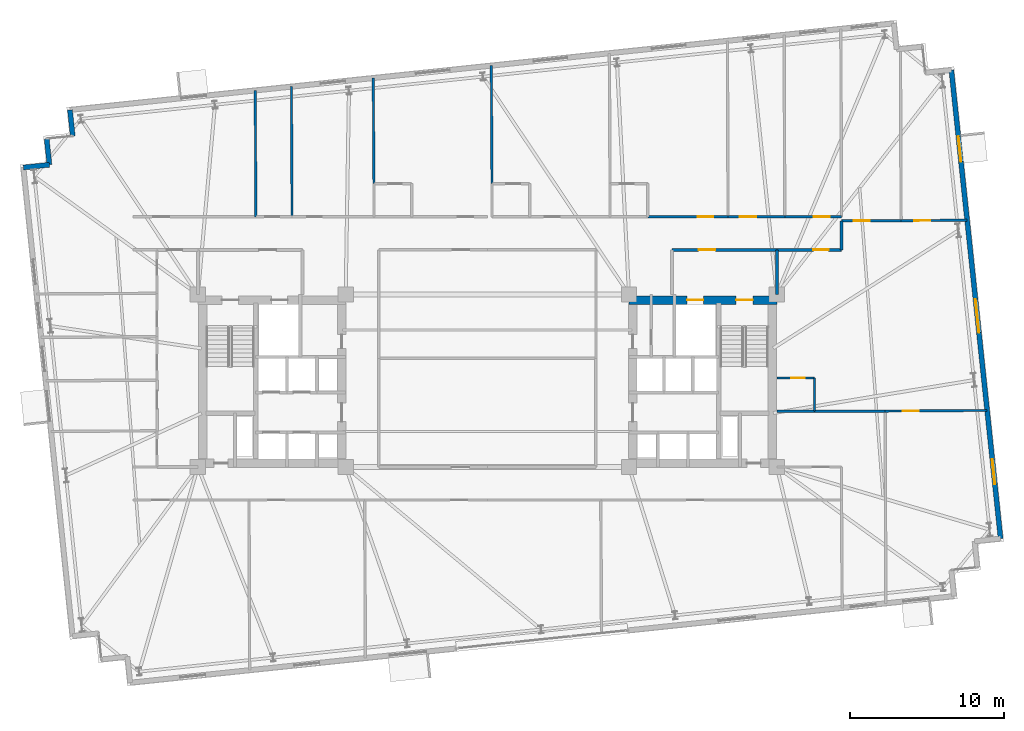
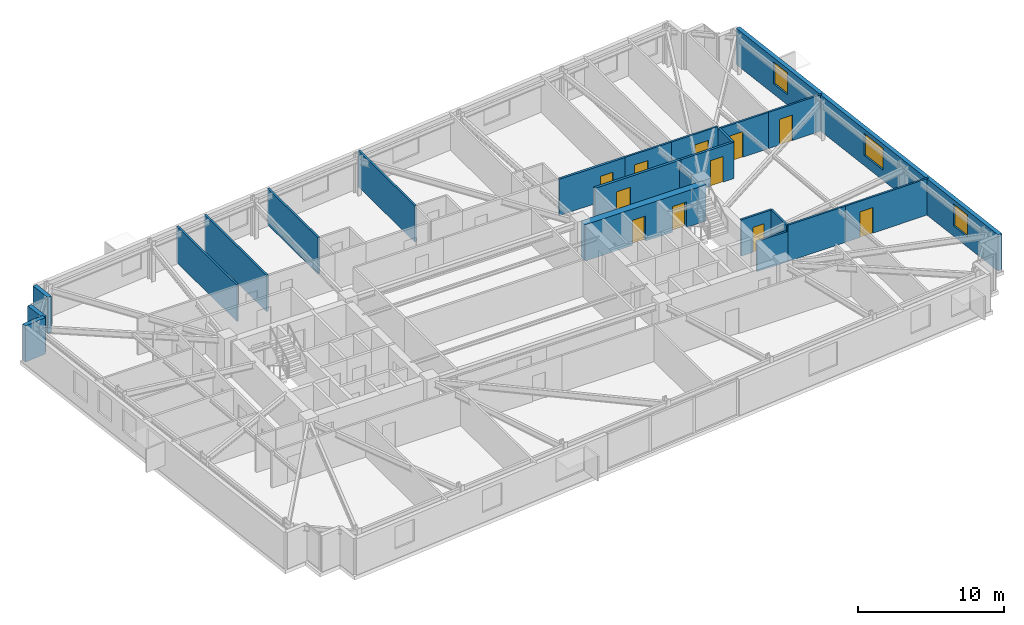
# One storey, part 19 of 22: 23 walls, 11 doors, 3 windows, 14 openings.
"""IFC4 building model written with IfcOpenShell, lengths in metres."""

from ifc_helpers import new_model, si_unit, direction, frame, frame_2d, origin, place, context, subcontext, project, spatial, rectangle, extrude, material, layer, layer_set, type_object, element, fill, save


model = new_model("IFC4")

# Units and contexts
model_context = context("Model", 3, precision=1e-05, world=origin(), true_north=direction((0.0, 1.0)))
body_context = subcontext(model_context, "Body", "Model", "MODEL_VIEW")
ifc_project = project(units=[si_unit("LENGTHUNIT", "METRE"), si_unit("AREAUNIT", "SQUARE_METRE"), si_unit("VOLUMEUNIT", "CUBIC_METRE"), si_unit("PLANEANGLEUNIT", "RADIAN"), si_unit("MASSUNIT", "GRAM", prefix="KILO")], contexts=[model_context])

# Site, building, storey
site_placement = place(None, origin())
site = spatial("IfcSite", under=ifc_project, at=site_placement, CompositionType="ELEMENT")
building_placement = place(site_placement, origin())
building = spatial("IfcBuilding", under=site, at=building_placement, Name="Qobustan Lattice House", CompositionType="ELEMENT")
storey_placement = place(building_placement, frame((0.0, 0.0, 99.10009765625)))
storey = spatial("IfcBuildingStorey", under=building, at=storey_placement, Name="L27", CompositionType="ELEMENT", Elevation=99.10009765625)

# Wall, openings, doors
ifc_material_1 = material(Name="Concrete C60/75", Category="concrete")
ifc_layer_1 = layer(ifc_material_1, 0.56005859375)
ifc_layer_set_1 = layer_set([ifc_layer_1], Name="Concrete C60/75")
wall_type_1 = type_object("IfcWallType", Name="WAL-CORE-600", PredefinedType="SHEAR", material=ifc_layer_set_1)
wall_1_placement = place(storey_placement, frame((9.199951171875, 5.239990234375, 0.0), z_axis=(0.0, 0.0, 1.0), x_axis=(1.0, 0.0, 0.0)))
wall_1 = element("IfcWall", 1, at=wall_1_placement, inside=storey, type_object=wall_type_1, Name="L27 split-core shear wall CE-N", PredefinedType="SHEAR", context=body_context, shape_type="SweptSolid", body=[
    extrude(rectangle(XDim=9.60009765625, YDim=0.56005859375, at=frame_2d((4.800048828125, 0.0))), origin(), (0.0, 0.0, 1.0), 3.044921875),
])
opening_1_placement = place(wall_1_placement, frame((6.949951171875, 0.0, 0.0)))
opening_1 = element("IfcOpeningElement", 2, at=opening_1_placement, cuts=wall_1, Name="Opening SD-01", PredefinedType="OPENING", context=body_context, shape_type="SweptSolid", body=[
    extrude(rectangle(XDim=1.10009765625, YDim=2.14990234375, at=frame_2d((0.550048828125, 1.074951171875))), frame((0.0, 0.2900390625, 0.0), z_axis=(0.0, -1.0, 0.0), x_axis=(1.0, 0.0, 0.0)), (0.0, 0.0, 1.0), 0.580078125),
])
opening_2_placement = place(wall_1_placement, frame((3.77490234375, 0.0, 0.0)))
opening_2 = element("IfcOpeningElement", 3, at=opening_2_placement, cuts=wall_1, Name="Opening LD-01", PredefinedType="OPENING", context=body_context, shape_type="SweptSolid", body=[
    extrude(rectangle(XDim=1.050048828125, YDim=2.10009765625, at=frame_2d((0.52490234375, 1.050048828125))), frame((0.0, 0.2900390625, 0.0), z_axis=(0.0, -1.0, 0.0), x_axis=(1.0, 0.0, 0.0)), (0.0, 0.0, 1.0), 0.580078125),
])
ifc_material_2 = material(Name="Persian walnut timber and steel frame door", Category="steel")
door_type_1 = type_object("IfcDoorType", Name="DOR-LIFT-LD-1050x2100", OperationType="NOTDEFINED", PredefinedType="DOOR", material=ifc_material_2)
door_1_placement = place(opening_2_placement, origin())
door_1 = element("IfcDoor", 4, at=door_1_placement, inside=storey, type_object=door_type_1, Name="L27 firefighting lift FF-E landing door", OperationType="DOUBLE_DOOR_SLIDING", OverallHeight=2.10009765625, OverallWidth=1.050048828125, PredefinedType="DOOR", context=body_context, shape_type="SweptSolid", body=[
    extrude(rectangle(XDim=1.050048828125, YDim=2.10009765625, at=frame_2d((0.52490234375, 1.050048828125))), frame((0.0, 0.02490234375, 0.0), z_axis=(0.0, -1.0, 0.0), x_axis=(1.0, 0.0, 0.0)), (0.0, 0.0, 1.0), 0.050048828125),
])
fill(opening_2, door_1)
ifc_material_3 = material(Name="Persian walnut timber and steel frame door", Category="steel")
door_type_2 = type_object("IfcDoorType", Name="DOR-STAIR-FD-1100x2150", OperationType="NOTDEFINED", PredefinedType="DOOR", material=ifc_material_3)
door_2_placement = place(opening_1_placement, origin())
door_2 = element("IfcDoor", 5, at=door_2_placement, inside=storey, type_object=door_type_2, Name="L27 exit stair ST-E1 fire door", OperationType="SINGLE_SWING_RIGHT", OverallHeight=2.14990234375, OverallWidth=1.10009765625, PredefinedType="DOOR", context=body_context, shape_type="SweptSolid", body=[
    extrude(rectangle(XDim=1.10009765625, YDim=2.14990234375, at=frame_2d((0.550048828125, 1.074951171875))), frame((0.0, 0.02490234375, 0.0), z_axis=(0.0, -1.0, 0.0), x_axis=(1.0, 0.0, 0.0)), (0.0, 0.0, 1.0), 0.050048828125),
])
fill(opening_1, door_2)

# Walls
ifc_material_4 = material(Name="Precast concrete C40/50", Category="concrete")
ifc_layer_2 = layer(ifc_material_4, 0.320068359375)
ifc_layer_set_2 = layer_set([ifc_layer_2], Name="Precast concrete C40/50")
wall_type_2 = type_object("IfcWallType", Name="WAL-EXT-STONE-320", PredefinedType="SOLIDWALL", material=ifc_layer_set_2)
for number, where, z_axis, x_axis, name in (
    (6, (-30.13330078125, 13.84912109375, 0.0), (0.0, 0.0, 1.0), (0.994534530939, 0.104408173862, 0.0), "L27 exterior limestone-clad wall 6"),
    (7, (-28.442626953125, 14.026611328125, 0.0), (0.0, 0.0, 1.0), (-0.104550220202, 0.994519608382, 0.0), "L27 exterior limestone-clad wall 7"),
    (8, (-26.9296875, 15.89501953125, 0.0), (0.0, 0.0, 1.0), (-0.104550220202, 0.994519608382, 0.0), "L27 exterior limestone-clad wall 9"),
):
    element("IfcWall", number, at=place(storey_placement, frame(where, z_axis=z_axis, x_axis=x_axis)), inside=storey, type_object=wall_type_2, Name=name, PredefinedType="SOLIDWALL", context=body_context, shape_type="SweptSolid", body=[
        extrude(rectangle(XDim=1.699951171875, YDim=0.320068359375, at=frame_2d((0.85009765625, 0.0))), origin(), (0.0, 0.0, 1.0), 3.044921875),
    ])

# Wall, openings, windows
wall_2_placement = place(storey_placement, frame((30.134765625, 20.183349609375, 0.0), z_axis=(0.0, 0.0, 1.0), x_axis=(0.104525716865, -0.994522184023, 0.0)))
wall_2 = element("IfcWall", 9, at=wall_2_placement, inside=storey, type_object=wall_type_2, Name="L27 exterior limestone-clad wall 15", PredefinedType="SOLIDWALL", context=body_context, shape_type="SweptSolid", body=[
    extrude(rectangle(XDim=30.60009765625, YDim=0.320068359375, at=frame_2d((15.300048828125, 0.0))), origin(), (0.0, 0.0, 1.0), 3.044921875),
])
opening_3_placement = place(wall_2_placement, frame((4.341796875, 0.0, 0.85009765625)))
opening_3 = element("IfcOpeningElement", 10, at=opening_3_placement, cuts=wall_2, Name="Opening WN-09", PredefinedType="OPENING", context=body_context, shape_type="SweptSolid", body=[
    extrude(rectangle(XDim=1.64990234375, YDim=1.85009765625, at=frame_2d((0.824951171875, 0.925048828125))), frame((0.0, 0.169921875, 0.0), z_axis=(0.0, -1.0, 0.0), x_axis=(1.0, 0.0, 0.0)), (0.0, 0.0, 1.0), 0.340087890625),
])
opening_4_placement = place(wall_2_placement, frame((14.9609375, 0.0, 0.85009765625)))
opening_4 = element("IfcOpeningElement", 11, at=opening_4_placement, cuts=wall_2, Name="Opening WN-03", PredefinedType="OPENING", context=body_context, shape_type="SweptSolid", body=[
    extrude(rectangle(XDim=2.199951171875, YDim=1.85009765625, at=frame_2d((1.10009765625, 0.925048828125))), frame((0.0, 0.169921875, 0.0), z_axis=(0.0, -1.0, 0.0), x_axis=(1.0, 0.0, 0.0)), (0.0, 0.0, 1.0), 0.340087890625),
])
opening_5_placement = place(wall_2_placement, frame((25.4091796875, 0.0, 0.85009765625)))
opening_5 = element("IfcOpeningElement", 12, at=opening_5_placement, cuts=wall_2, Name="Opening WN-09", PredefinedType="OPENING", context=body_context, shape_type="SweptSolid", body=[
    extrude(rectangle(XDim=1.64990234375, YDim=1.85009765625, at=frame_2d((0.824951171875, 0.925048828125))), frame((0.0, 0.169921875, 0.0), z_axis=(0.0, -1.0, 0.0), x_axis=(1.0, 0.0, 0.0)), (0.0, 0.0, 1.0), 0.340087890625),
])
ifc_material_5 = material(Name="Double-glazed low-E aluminium window", Category="aluminium")
window_type_1 = type_object("IfcWindowType", Name="WIN-STU-1650x1850", PartitioningType="SINGLE_PANEL", PredefinedType="WINDOW", material=ifc_material_5)
window_1_placement = place(opening_3_placement, origin())
window_1 = element("IfcWindow", 13, at=window_1_placement, inside=storey, type_object=window_type_1, Name="L27 Focus study room E3B window", OverallHeight=1.85009765625, OverallWidth=1.64990234375, PartitioningType="SINGLE_PANEL", PredefinedType="WINDOW", context=body_context, shape_type="SweptSolid", body=[
    extrude(rectangle(XDim=1.64990234375, YDim=1.85009765625, at=frame_2d((0.824951171875, 0.925048828125))), frame((0.0, 0.030029296875, 0.0), z_axis=(0.0, -1.0, 0.0), x_axis=(1.0, 0.0, 0.0)), (0.0, 0.0, 1.0), 0.06005859375),
])
fill(opening_3, window_1)
window_2_placement = place(opening_5_placement, origin())
window_2 = element("IfcWindow", 14, at=window_2_placement, inside=storey, type_object=window_type_1, Name="L27 Focus study room E1B window", OverallHeight=1.85009765625, OverallWidth=1.64990234375, PartitioningType="SINGLE_PANEL", PredefinedType="WINDOW", context=body_context, shape_type="SweptSolid", body=[
    extrude(rectangle(XDim=1.64990234375, YDim=1.85009765625, at=frame_2d((0.824951171875, 0.925048828125))), frame((0.0, 0.030029296875, 0.0), z_axis=(0.0, -1.0, 0.0), x_axis=(1.0, 0.0, 0.0)), (0.0, 0.0, 1.0), 0.06005859375),
])
fill(opening_5, window_2)
ifc_material_6 = material(Name="Double-glazed low-E aluminium window", Category="aluminium")
window_type_2 = type_object("IfcWindowType", Name="WIN-WIDE-2200x1850", PartitioningType="SINGLE_PANEL", PredefinedType="WINDOW", material=ifc_material_6)
window_3_placement = place(opening_4_placement, origin())
window_3 = element("IfcWindow", 15, at=window_3_placement, inside=storey, type_object=window_type_2, Name="L27 Kitchenette and studio apartment L27-E2 window", OverallHeight=1.85009765625, OverallWidth=2.199951171875, PartitioningType="SINGLE_PANEL", PredefinedType="WINDOW", context=body_context, shape_type="SweptSolid", body=[
    extrude(rectangle(XDim=2.199951171875, YDim=1.85009765625, at=frame_2d((1.10009765625, 0.925048828125))), frame((0.0, 0.030029296875, 0.0), z_axis=(0.0, -1.0, 0.0), x_axis=(1.0, 0.0, 0.0)), (0.0, 0.0, 1.0), 0.06005859375),
])
fill(opening_4, window_3)

# Wall, opening, door
ifc_material_7 = material(Name="Gypsum fireboard acoustic partition", Category="gypsum")
ifc_layer_3 = layer(ifc_material_7, 0.179931640625)
ifc_layer_set_3 = layer_set([ifc_layer_3], Name="Gypsum fireboard acoustic partition")
wall_type_3 = type_object("IfcWallType", Name="WAL-FIRE-180", PredefinedType="PARTITIONING", material=ifc_layer_set_3)
wall_3_placement = place(storey_placement, frame((23.0, 8.5, 0.0), z_axis=(0.0, 0.0, 1.0), x_axis=(-1.0, 0.0, 0.0)))
wall_3 = element("IfcWall", 16, at=wall_3_placement, inside=storey, type_object=wall_type_3, Name="L27 interior partition 44", PredefinedType="PARTITIONING", context=body_context, shape_type="SweptSolid", body=[
    extrude(rectangle(XDim=4.199951171875, YDim=0.179931640625, at=frame_2d((2.10009765625, 0.0))), origin(), (0.0, 0.0, 1.0), 3.044921875),
])
opening_6_placement = place(wall_3_placement, frame((0.8349609375, 0.0, 0.0)))
opening_6 = element("IfcOpeningElement", 17, at=opening_6_placement, cuts=wall_3, Name="Opening FD-02", PredefinedType="OPENING", context=body_context, shape_type="SweptSolid", body=[
    extrude(rectangle(XDim=1.0, YDim=2.14990234375, at=frame_2d((0.5, 1.074951171875))), frame((0.0, 0.099853515625, 0.0), z_axis=(0.0, -1.0, 0.0), x_axis=(1.0, 0.0, 0.0)), (0.0, 0.0, 1.0), 0.199951171875),
])
ifc_material_8 = material(Name="Persian walnut timber and steel frame door", Category="steel")
door_type_3 = type_object("IfcDoorType", Name="DOR-UNIT-FD-1000x2150", OperationType="NOTDEFINED", PredefinedType="DOOR", material=ifc_material_8)
door_3_placement = place(opening_6_placement, origin())
door_3 = element("IfcDoor", 18, at=door_3_placement, inside=storey, type_object=door_type_3, Name="L27 North-east floor corridor to Kitchenette and studio apartment L27-E2 door", OperationType="SINGLE_SWING_RIGHT", OverallHeight=2.14990234375, OverallWidth=1.0, PredefinedType="DOOR", context=body_context, shape_type="SweptSolid", body=[
    extrude(rectangle(XDim=1.0, YDim=2.14990234375, at=frame_2d((0.5, 1.074951171875))), frame((0.0, 0.02490234375, 0.0), z_axis=(0.0, -1.0, 0.0), x_axis=(1.0, 0.0, 0.0)), (0.0, 0.0, 1.0), 0.050048828125),
])
fill(opening_6, door_3)

# Wall
wall_4_placement = place(storey_placement, frame((23.0, 10.387939453125, 0.0), z_axis=(0.0, 0.0, 1.0), x_axis=(0.0, -1.0, 0.0)))
element("IfcWall", 19, at=wall_4_placement, inside=storey, type_object=wall_type_3, Name="L27 interior partition 45", PredefinedType="PARTITIONING", context=body_context, shape_type="SweptSolid", body=[
    extrude(rectangle(XDim=1.887939453125, YDim=0.179931640625, at=frame_2d((0.94384765625, 0.0))), origin(), (0.0, 0.0, 1.0), 3.044921875),
])

# Wall, opening, door
wall_5_placement = place(storey_placement, frame((10.4169921875, 10.64990234375, 0.0), z_axis=(0.0, 0.0, 1.0), x_axis=(1.0, 0.0, 0.0)))
wall_5 = element("IfcWall", 20, at=wall_5_placement, inside=storey, type_object=wall_type_3, Name="L27 interior partition 48", PredefinedType="PARTITIONING", context=body_context, shape_type="SweptSolid", body=[
    extrude(rectangle(XDim=5.216064453125, YDim=0.179931640625, at=frame_2d((2.60791015625, 0.0))), origin(), (0.0, 0.0, 1.0), 3.044921875),
])
opening_7_placement = place(wall_5_placement, frame((3.25390625, 0.0, 0.0)))
opening_7 = element("IfcOpeningElement", 21, at=opening_7_placement, cuts=wall_5, Name="Opening FD-02", PredefinedType="OPENING", context=body_context, shape_type="SweptSolid", body=[
    extrude(rectangle(XDim=1.0, YDim=2.14990234375, at=frame_2d((0.5, 1.074951171875))), frame((0.0, 0.099853515625, 0.0), z_axis=(0.0, -1.0, 0.0), x_axis=(1.0, 0.0, 0.0)), (0.0, 0.0, 1.0), 0.199951171875),
])
door_4_placement = place(opening_7_placement, origin())
door_4 = element("IfcDoor", 22, at=door_4_placement, inside=storey, type_object=door_type_3, Name="L27 North-east floor corridor to Kitchenette and studio apartment L27-N5 door", OperationType="SINGLE_SWING_RIGHT", OverallHeight=2.14990234375, OverallWidth=1.0, PredefinedType="DOOR", context=body_context, shape_type="SweptSolid", body=[
    extrude(rectangle(XDim=1.0, YDim=2.14990234375, at=frame_2d((0.5, 1.074951171875))), frame((0.0, 0.02490234375, 0.0), z_axis=(0.0, -1.0, 0.0), x_axis=(1.0, 0.0, 0.0)), (0.0, 0.0, 1.0), 0.050048828125),
])
fill(opening_7, door_4)

ifc_material_9 = material(Name="Acoustic twin-stud gypsum partition", Category="gypsum")
ifc_layer_4 = layer(ifc_material_9, 0.14990234375)
ifc_layer_set_4 = layer_set([ifc_layer_4], Name="Acoustic twin-stud gypsum partition")
wall_type_4 = type_object("IfcWallType", Name="WAL-PART-150", PredefinedType="PARTITIONING", material=ifc_layer_set_4)
wall_6_placement = place(storey_placement, frame((15.633056640625, 10.64990234375, 0.0), z_axis=(0.0, 0.0, 1.0), x_axis=(1.0, 0.0, 0.0)))
wall_6 = element("IfcWall", 23, at=wall_6_placement, inside=storey, type_object=wall_type_4, Name="L27 interior partition 50", PredefinedType="PARTITIONING", context=body_context, shape_type="SweptSolid", body=[
    extrude(rectangle(XDim=3.683349609375, YDim=0.14990234375, at=frame_2d((1.841796875, 0.0))), origin(), (0.0, 0.0, 1.0), 3.044921875),
])
opening_8_placement = place(wall_6_placement, frame((0.76416015625, 0.0, 0.0)))
opening_8 = element("IfcOpeningElement", 24, at=opening_8_placement, cuts=wall_6, Name="Opening ID-02", PredefinedType="OPENING", context=body_context, shape_type="SweptSolid", body=[
    extrude(rectangle(XDim=1.050048828125, YDim=2.14990234375, at=frame_2d((0.52490234375, 1.074951171875))), frame((0.0, 0.0849609375, 0.0), z_axis=(0.0, -1.0, 0.0), x_axis=(1.0, 0.0, 0.0)), (0.0, 0.0, 1.0), 0.169921875),
])
ifc_material_10 = material(Name="Persian walnut timber and steel frame door", Category="steel")
door_type_4 = type_object("IfcDoorType", Name="DOR-STUDY-1050x2150", OperationType="NOTDEFINED", PredefinedType="DOOR", material=ifc_material_10)
door_5_placement = place(opening_8_placement, origin())
door_5 = element("IfcDoor", 25, at=door_5_placement, inside=storey, type_object=door_type_4, Name="L27 North-east floor corridor to Focus study room N6A door", OperationType="SINGLE_SWING_LEFT", OverallHeight=2.14990234375, OverallWidth=1.050048828125, PredefinedType="DOOR", context=body_context, shape_type="SweptSolid", body=[
    extrude(rectangle(XDim=1.050048828125, YDim=2.14990234375, at=frame_2d((0.52490234375, 1.074951171875))), frame((0.0, 0.02490234375, 0.0), z_axis=(0.0, -1.0, 0.0), x_axis=(1.0, 0.0, 0.0)), (0.0, 0.0, 1.0), 0.050048828125),
])
fill(opening_8, door_5)

wall_7_placement = place(storey_placement, frame((19.31640625, 10.64990234375, 0.0), z_axis=(0.0, 0.0, 1.0), x_axis=(1.0, 0.0, 0.0)))
wall_7 = element("IfcWall", 26, at=wall_7_placement, inside=storey, type_object=wall_type_4, Name="L27 interior partition 51", PredefinedType="PARTITIONING", context=body_context, shape_type="SweptSolid", body=[
    extrude(rectangle(XDim=3.68359375, YDim=0.14990234375, at=frame_2d((1.841796875, 0.0))), origin(), (0.0, 0.0, 1.0), 3.044921875),
])
opening_9_placement = place(wall_7_placement, frame((1.869384765625, 0.0, 0.0)))
opening_9 = element("IfcOpeningElement", 27, at=opening_9_placement, cuts=wall_7, Name="Opening ID-02", PredefinedType="OPENING", context=body_context, shape_type="SweptSolid", body=[
    extrude(rectangle(XDim=1.050048828125, YDim=2.14990234375, at=frame_2d((0.52490234375, 1.074951171875))), frame((0.0, 0.0849609375, 0.0), z_axis=(0.0, -1.0, 0.0), x_axis=(1.0, 0.0, 0.0)), (0.0, 0.0, 1.0), 0.169921875),
])
door_6_placement = place(opening_9_placement, origin())
door_6 = element("IfcDoor", 28, at=door_6_placement, inside=storey, type_object=door_type_4, Name="L27 North-east floor corridor to Focus study room N6B door", OperationType="SINGLE_SWING_RIGHT", OverallHeight=2.14990234375, OverallWidth=1.050048828125, PredefinedType="DOOR", context=body_context, shape_type="SweptSolid", body=[
    extrude(rectangle(XDim=1.050048828125, YDim=2.14990234375, at=frame_2d((0.52490234375, 1.074951171875))), frame((0.0, 0.02490234375, 0.0), z_axis=(0.0, -1.0, 0.0), x_axis=(1.0, 0.0, 0.0)), (0.0, 0.0, 1.0), 0.050048828125),
])
fill(opening_9, door_6)

# Wall
wall_8_placement = place(storey_placement, frame((21.25, -1.971923828125, 0.0), z_axis=(0.0, 0.0, 1.0), x_axis=(1.0, 0.0, 0.0)))
element("IfcWall", 29, at=wall_8_placement, inside=storey, type_object=wall_type_4, Name="L27 interior partition 78", PredefinedType="PARTITIONING", context=body_context, shape_type="SweptSolid", body=[
    extrude(rectangle(XDim=4.585693359375, YDim=0.14990234375, at=frame_2d((2.29296875, 0.0))), origin(), (0.0, 0.0, 1.0), 3.044921875),
])

# Wall, opening, door
wall_9_placement = place(storey_placement, frame((25.835693359375, -1.971923828125, 0.0), z_axis=(0.0, 0.0, 1.0), x_axis=(0.999977987715, 0.006635064796, 0.0)))
wall_9 = element("IfcWall", 30, at=wall_9_placement, inside=storey, type_object=wall_type_4, Name="L27 interior partition 81", PredefinedType="PARTITIONING", context=body_context, shape_type="SweptSolid", body=[
    extrude(rectangle(XDim=6.623291015625, YDim=0.14990234375, at=frame_2d((3.3115234375, 0.0))), origin(), (0.0, 0.0, 1.0), 3.044921875),
])
opening_10_placement = place(wall_9_placement, frame((1.131591796875, 0.0, 0.0)))
opening_10 = element("IfcOpeningElement", 31, at=opening_10_placement, cuts=wall_9, Name="Opening ID-02", PredefinedType="OPENING", context=body_context, shape_type="SweptSolid", body=[
    extrude(rectangle(XDim=1.050048828125, YDim=2.14990234375, at=frame_2d((0.52490234375, 1.074951171875))), frame((0.0, 0.0849609375, 0.0), z_axis=(0.0, -1.0, 0.0), x_axis=(1.0, 0.0, 0.0)), (0.0, 0.0, 1.0), 0.169921875),
])
door_7_placement = place(opening_10_placement, origin())
door_7 = element("IfcDoor", 32, at=door_7_placement, inside=storey, type_object=door_type_4, Name="L27 Focus study room E1B to Kitchenette and studio apartment L27-E2 door", OperationType="SINGLE_SWING_RIGHT", OverallHeight=2.14990234375, OverallWidth=1.050048828125, PredefinedType="DOOR", context=body_context, shape_type="SweptSolid", body=[
    extrude(rectangle(XDim=1.050048828125, YDim=2.14990234375, at=frame_2d((0.52490234375, 1.074951171875))), frame((0.0, 0.02490234375, 0.0), z_axis=(0.0, -1.0, 0.0), x_axis=(1.0, 0.0, 0.0)), (0.0, 0.0, 1.0), 0.050048828125),
])
fill(opening_10, door_7)

wall_10_placement = place(storey_placement, frame((23.0, 10.387939453125, 0.0), z_axis=(0.0, 0.0, 1.0), x_axis=(1.0, 0.0, 0.0)))
wall_10 = element("IfcWall", 33, at=wall_10_placement, inside=storey, type_object=wall_type_4, Name="L27 interior partition 84", PredefinedType="PARTITIONING", context=body_context, shape_type="SweptSolid", body=[
    extrude(rectangle(XDim=3.87109375, YDim=0.14990234375, at=frame_2d((1.935546875, 0.0))), origin(), (0.0, 0.0, 1.0), 3.044921875),
])
opening_11_placement = place(wall_10_placement, frame((0.78759765625, 0.0, 0.0)))
opening_11 = element("IfcOpeningElement", 34, at=opening_11_placement, cuts=wall_10, Name="Opening ID-02", PredefinedType="OPENING", context=body_context, shape_type="SweptSolid", body=[
    extrude(rectangle(XDim=1.050048828125, YDim=2.14990234375, at=frame_2d((0.52490234375, 1.074951171875))), frame((0.0, 0.0849609375, 0.0), z_axis=(0.0, -1.0, 0.0), x_axis=(1.0, 0.0, 0.0)), (0.0, 0.0, 1.0), 0.169921875),
])
door_8_placement = place(opening_11_placement, origin())
door_8 = element("IfcDoor", 35, at=door_8_placement, inside=storey, type_object=door_type_4, Name="L27 Kitchenette and studio apartment L27-E2 to Focus study room E3A door", OperationType="SINGLE_SWING_RIGHT", OverallHeight=2.14990234375, OverallWidth=1.050048828125, PredefinedType="DOOR", context=body_context, shape_type="SweptSolid", body=[
    extrude(rectangle(XDim=1.050048828125, YDim=2.14990234375, at=frame_2d((0.52490234375, 1.074951171875))), frame((0.0, 0.02490234375, 0.0), z_axis=(0.0, -1.0, 0.0), x_axis=(1.0, 0.0, 0.0)), (0.0, 0.0, 1.0), 0.050048828125),
])
fill(opening_11, door_8)

wall_11_placement = place(storey_placement, frame((26.87109375, 10.387939453125, 0.0), z_axis=(0.0, 0.0, 1.0), x_axis=(0.999947502931, 0.010246530259, 0.0)))
wall_11 = element("IfcWall", 36, at=wall_11_placement, inside=storey, type_object=wall_type_4, Name="L27 interior partition 85", PredefinedType="PARTITIONING", context=body_context, shape_type="SweptSolid", body=[
    extrude(rectangle(XDim=4.288818359375, YDim=0.14990234375, at=frame_2d((2.14453125, 0.0))), origin(), (0.0, 0.0, 1.0), 3.044921875),
])
opening_12_placement = place(wall_11_placement, frame((0.83984375, 0.0, 0.0)))
opening_12 = element("IfcOpeningElement", 37, at=opening_12_placement, cuts=wall_11, Name="Opening ID-02", PredefinedType="OPENING", context=body_context, shape_type="SweptSolid", body=[
    extrude(rectangle(XDim=1.050048828125, YDim=2.14990234375, at=frame_2d((0.52490234375, 1.074951171875))), frame((0.0, 0.0849609375, 0.0), z_axis=(0.0, -1.0, 0.0), x_axis=(1.0, 0.0, 0.0)), (0.0, 0.0, 1.0), 0.169921875),
])
door_9_placement = place(opening_12_placement, origin())
door_9 = element("IfcDoor", 38, at=door_9_placement, inside=storey, type_object=door_type_4, Name="L27 Kitchenette and studio apartment L27-E2 to Focus study room E3B door", OperationType="SINGLE_SWING_LEFT", OverallHeight=2.14990234375, OverallWidth=1.050048828125, PredefinedType="DOOR", context=body_context, shape_type="SweptSolid", body=[
    extrude(rectangle(XDim=1.050048828125, YDim=2.14990234375, at=frame_2d((0.52490234375, 1.074951171875))), frame((0.0, 0.02490234375, 0.0), z_axis=(0.0, -1.0, 0.0), x_axis=(1.0, 0.0, 0.0)), (0.0, 0.0, 1.0), 0.050048828125),
])
fill(opening_12, door_9)

# Walls
wall_12_placement = place(storey_placement, frame((-7.410888671875, 19.656005859375, 0.0), z_axis=(0.0, 0.0, 1.0), x_axis=(0.006409668201, -0.999979457866, 0.0)))
element("IfcWall", 39, at=wall_12_placement, inside=storey, type_object=wall_type_4, Name="L27 interior partition 90", PredefinedType="PARTITIONING", context=body_context, shape_type="SweptSolid", body=[
    extrude(rectangle(XDim=6.856201171875, YDim=0.14990234375, at=frame_2d((3.42822265625, 0.0))), origin(), (0.0, 0.0, 1.0), 3.044921875),
])
wall_13_placement = place(storey_placement, frame((0.256103515625, 20.461669921875, 0.0), z_axis=(0.0, 0.0, 1.0), x_axis=(0.00573567775, -0.999983550865, 0.0)))
element("IfcWall", 40, at=wall_13_placement, inside=storey, type_object=wall_type_4, Name="L27 interior partition 94", PredefinedType="PARTITIONING", context=body_context, shape_type="SweptSolid", body=[
    extrude(rectangle(XDim=7.661865234375, YDim=0.14990234375, at=frame_2d((3.8310546875, 0.0))), origin(), (0.0, 0.0, 1.0), 3.044921875),
])

# Wall, opening, door
ifc_material_11 = material(Name="Two-hour gypsum fireboard acoustic partition", Category="gypsum")
ifc_layer_5 = layer(ifc_material_11, 0.199951171875)
ifc_layer_set_5 = layer_set([ifc_layer_5], Name="Two-hour gypsum fireboard acoustic partition")
wall_type_5 = type_object("IfcWallType", Name="WAL-PROT-200", PredefinedType="PARTITIONING", material=ifc_layer_set_5)
wall_14_placement = place(storey_placement, frame((18.800048828125, 8.5, 0.0), z_axis=(0.0, 0.0, 1.0), x_axis=(-1.0, 0.0, 0.0)))
wall_14 = element("IfcWall", 41, at=wall_14_placement, inside=storey, type_object=wall_type_5, Name="L27 interior partition 20", PredefinedType="PARTITIONING", context=body_context, shape_type="SweptSolid", body=[
    extrude(rectangle(XDim=6.800048828125, YDim=0.199951171875, at=frame_2d((3.39990234375, 0.0))), origin(), (0.0, 0.0, 1.0), 3.044921875),
])
opening_13_placement = place(wall_14_placement, frame((3.985107421875, 0.0, 0.0)))
opening_13 = element("IfcOpeningElement", 42, at=opening_13_placement, cuts=wall_14, Name="Opening SD-01", PredefinedType="OPENING", context=body_context, shape_type="SweptSolid", body=[
    extrude(rectangle(XDim=1.10009765625, YDim=2.14990234375, at=frame_2d((0.550048828125, 1.074951171875))), frame((0.0, 0.10986328125, 0.0), z_axis=(0.0, -1.0, 0.0), x_axis=(1.0, 0.0, 0.0)), (0.0, 0.0, 1.0), 0.219970703125),
])
door_10_placement = place(opening_13_placement, origin())
door_10 = element("IfcDoor", 43, at=door_10_placement, inside=storey, type_object=door_type_2, Name="L27 East firefighting lift lobby to North-east floor corridor door", OperationType="SINGLE_SWING_RIGHT", OverallHeight=2.14990234375, OverallWidth=1.10009765625, PredefinedType="DOOR", context=body_context, shape_type="SweptSolid", body=[
    extrude(rectangle(XDim=1.10009765625, YDim=2.14990234375, at=frame_2d((0.550048828125, 1.074951171875))), frame((0.0, 0.02490234375, 0.0), z_axis=(0.0, -1.0, 0.0), x_axis=(1.0, 0.0, 0.0)), (0.0, 0.0, 1.0), 0.050048828125),
])
fill(opening_13, door_10)

# Walls
wall_15_placement = place(storey_placement, frame((18.800048828125, 5.60009765625, 0.0), z_axis=(0.0, 0.0, 1.0), x_axis=(0.0, 1.0, 0.0)))
element("IfcWall", 44, at=wall_15_placement, inside=storey, type_object=wall_type_5, Name="L27 interior partition 22", PredefinedType="PARTITIONING", context=body_context, shape_type="SweptSolid", body=[
    extrude(rectangle(XDim=2.89990234375, YDim=0.199951171875, at=frame_2d((1.449951171875, 0.0))), origin(), (0.0, 0.0, 1.0), 2.52978515625),
])
ifc_material_12 = material(Name="Moisture-resistant acoustic plumbing wall", Category="gypsum")
ifc_layer_6 = layer(ifc_material_12, 0.14990234375)
ifc_layer_set_6 = layer_set([ifc_layer_6], Name="Moisture-resistant acoustic plumbing wall")
wall_type_6 = type_object("IfcWallType", Name="WAL-WET-150", PredefinedType="PLUMBINGWALL", material=ifc_layer_set_6)
wall_16_placement = place(storey_placement, frame((18.800048828125, -1.971923828125, 0.0), z_axis=(0.0, 0.0, 1.0), x_axis=(1.0, 0.0, 0.0)))
element("IfcWall", 45, at=wall_16_placement, inside=storey, type_object=wall_type_6, Name="L27 interior partition 79", PredefinedType="PLUMBINGWALL", context=body_context, shape_type="SweptSolid", body=[
    extrude(rectangle(XDim=2.449951171875, YDim=0.14990234375, at=frame_2d((1.22509765625, 0.0))), origin(), (0.0, 0.0, 1.0), 2.52978515625),
])

# Wall, opening, door
wall_17_placement = place(storey_placement, frame((21.25, 0.177978515625, 0.0), z_axis=(0.0, 0.0, 1.0), x_axis=(-1.0, 0.0, 0.0)))
wall_17 = element("IfcWall", 46, at=wall_17_placement, inside=storey, type_object=wall_type_6, Name="L27 interior partition 82", PredefinedType="PLUMBINGWALL", context=body_context, shape_type="SweptSolid", body=[
    extrude(rectangle(XDim=2.449951171875, YDim=0.14990234375, at=frame_2d((1.22509765625, 0.0))), origin(), (0.0, 0.0, 1.0), 3.044921875),
])
opening_14_placement = place(wall_17_placement, frame((0.628662109375, 0.0, 0.0)))
opening_14 = element("IfcOpeningElement", 47, at=opening_14_placement, cuts=wall_17, Name="Opening WD-01", PredefinedType="OPENING", context=body_context, shape_type="SweptSolid", body=[
    extrude(rectangle(XDim=0.89990234375, YDim=2.10009765625, at=frame_2d((0.449951171875, 1.050048828125))), frame((0.0, 0.0849609375, 0.0), z_axis=(0.0, -1.0, 0.0), x_axis=(1.0, 0.0, 0.0)), (0.0, 0.0, 1.0), 0.169921875),
])
ifc_material_13 = material(Name="Persian walnut timber and steel frame door", Category="steel")
door_type_5 = type_object("IfcDoorType", Name="DOR-WET-900x2100", OperationType="NOTDEFINED", PredefinedType="DOOR", material=ifc_material_13)
door_11_placement = place(opening_14_placement, origin())
door_11 = element("IfcDoor", 48, at=door_11_placement, inside=storey, type_object=door_type_5, Name="L27 Kitchenette and studio apartment L27-E2 to En-suite bathroom L27-E2 door", OperationType="SINGLE_SWING_LEFT", OverallHeight=2.10009765625, OverallWidth=0.89990234375, PredefinedType="DOOR", context=body_context, shape_type="SweptSolid", body=[
    extrude(rectangle(XDim=0.89990234375, YDim=2.10009765625, at=frame_2d((0.449951171875, 1.050048828125))), frame((0.0, 0.02490234375, 0.0), z_axis=(0.0, -1.0, 0.0), x_axis=(1.0, 0.0, 0.0)), (0.0, 0.0, 1.0), 0.050048828125),
])
fill(opening_14, door_11)

# Walls
wall_18_placement = place(storey_placement, frame((21.25, -1.971923828125, 0.0), z_axis=(0.0, 0.0, 1.0), x_axis=(0.0, 1.0, 0.0)))
element("IfcWall", 49, at=wall_18_placement, inside=storey, type_object=wall_type_6, Name="L27 interior partition 83", PredefinedType="PLUMBINGWALL", context=body_context, shape_type="SweptSolid", body=[
    extrude(rectangle(XDim=2.14990234375, YDim=0.14990234375, at=frame_2d((1.074951171875, 0.0))), origin(), (0.0, 0.0, 1.0), 3.044921875),
])
wall_19_placement = place(storey_placement, frame((-15.076904296875, 18.85009765625, 0.0), z_axis=(0.0, 0.0, 1.0), x_axis=(0.005358979853, -0.999985640564, 0.0)))
element("IfcWall", 50, at=wall_19_placement, inside=storey, type_object=wall_type_6, Name="L27 interior partition 88", PredefinedType="PLUMBINGWALL", context=body_context, shape_type="SweptSolid", body=[
    extrude(rectangle(XDim=8.2001953125, YDim=0.14990234375, at=frame_2d((4.10009765625, 0.0))), origin(), (0.0, 0.0, 1.0), 3.044921875),
])
wall_20_placement = place(storey_placement, frame((-12.726806640625, 19.09716796875, 0.0), z_axis=(0.0, 0.0, 1.0), x_axis=(0.005173341175, -0.999986618181, 0.0)))
element("IfcWall", 51, at=wall_20_placement, inside=storey, type_object=wall_type_6, Name="L27 interior partition 89", PredefinedType="PLUMBINGWALL", context=body_context, shape_type="SweptSolid", body=[
    extrude(rectangle(XDim=8.447265625, YDim=0.14990234375, at=frame_2d((4.2236328125, 0.0))), origin(), (0.0, 0.0, 1.0), 3.044921875),
])

save(model, "model.ifc")
